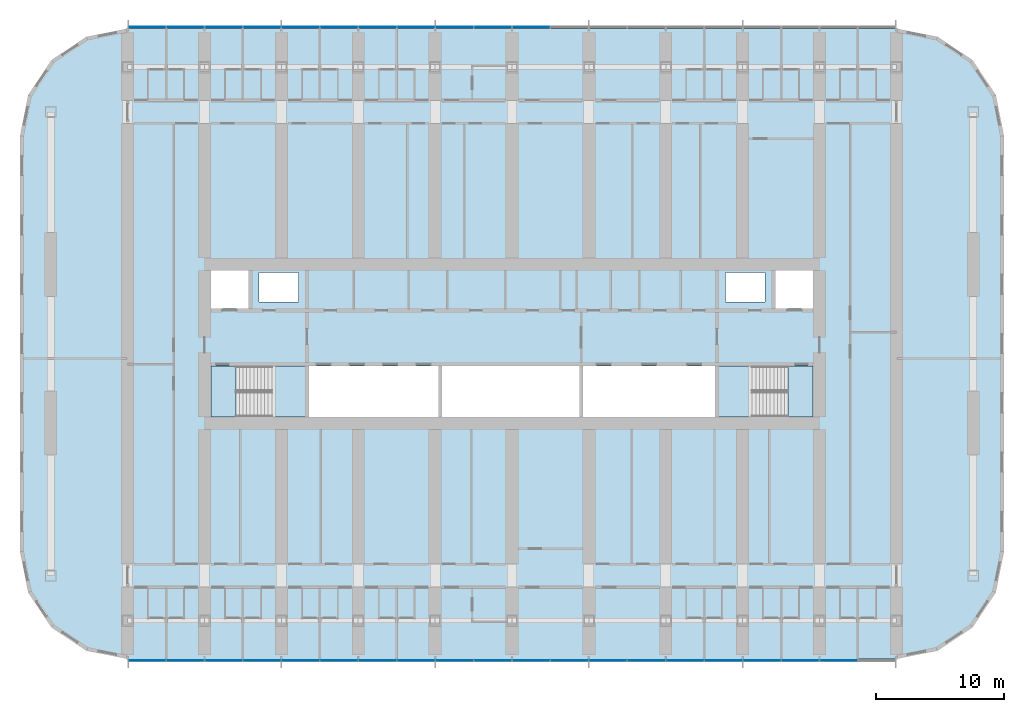
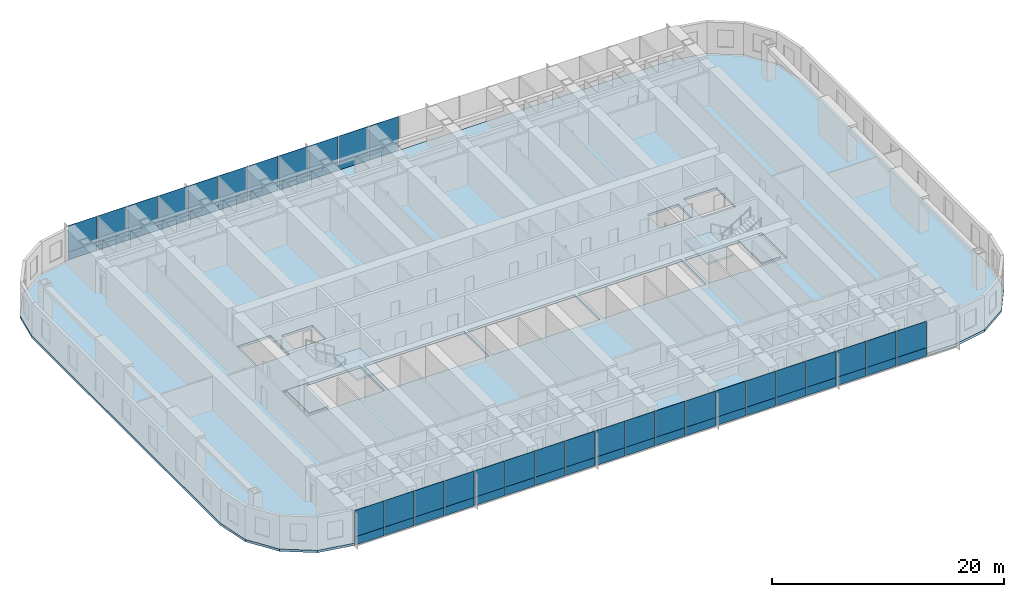
# One storey, part 8 of 25: 60 plates, 5 slabs, 4 elements without a shape of their own.
"""IFC4 building model written with IfcOpenShell, lengths in metres."""

from ifc_helpers import new_model, si_unit, direction, frame, origin, origin_2d, place, context, subcontext, project, spatial, polyline, rectangle, outline, extrude, material, layer, layer_set, type_object, element, aggregate, save


model = new_model("IFC4")

# Units and contexts
model_context = context("Model", 3, precision=1e-05, world=origin(), true_north=direction((0.0, 1.0)))
body_context = subcontext(model_context, "Body", "Model", "MODEL_VIEW")
ifc_project = project(units=[si_unit("LENGTHUNIT", "METRE"), si_unit("AREAUNIT", "SQUARE_METRE"), si_unit("VOLUMEUNIT", "CUBIC_METRE"), si_unit("PLANEANGLEUNIT", "RADIAN"), si_unit("MASSUNIT", "GRAM", prefix="KILO")], contexts=[model_context])

# Site, building, storey
site_placement = place(None, origin())
site = spatial("IfcSite", under=ifc_project, at=site_placement, CompositionType="ELEMENT")
building_placement = place(site_placement, origin())
building = spatial("IfcBuilding", under=site, at=building_placement, Name="Orbita Commons", CompositionType="ELEMENT")
storey_placement = place(building_placement, frame((0.0, 0.0, 31.449951171875)))
storey = spatial("IfcBuildingStorey", under=building, at=storey_placement, Name="L07", CompositionType="ELEMENT", Elevation=31.449951171875)

# Slab
ifc_material_1 = material(Name="Concrete C40/50", Category="concrete")
ifc_layer_1 = layer(ifc_material_1, 0.25)
ifc_layer_set_1 = layer_set([ifc_layer_1], Name="Concrete C40/50")
slab_type_1 = type_object("IfcSlabType", Name="Floor slab 250", PredefinedType="FLOOR", material=ifc_layer_set_1)
slab_1_placement = place(storey_placement, frame((0.0, 0.0, -0.25)))
element("IfcSlab", 1, at=slab_1_placement, inside=storey, type_object=slab_type_1, Name="Floor slab L07", PredefinedType="FLOOR", context=body_context, shape_type="SweptSolid", body=[
    extrude(outline(polyline([(72.0, 7.39990234375), (75.214599609375, 8.039306640625), (77.939697265625, 9.8603515625), (79.760498046875, 12.58544921875), (80.39990234375, 15.800048828125), (80.39990234375, 48.199951171875), (79.760498046875, 51.41455078125), (77.939697265625, 54.1396484375), (75.214599609375, 55.960693359375), (72.0, 56.60009765625), (12.0, 56.60009765625), (8.785400390625, 55.960693359375), (6.060302734375, 54.1396484375), (4.239501953125, 51.41455078125), (3.60009765625, 48.199951171875), (3.60009765625, 15.800048828125), (4.239501953125, 12.58544921875), (6.060302734375, 9.8603515625), (8.785400390625, 8.039306640625), (12.0, 7.39990234375), (72.0, 7.39990234375)]), holes=[polyline([(18.14990234375, 25.949951171875), (25.85009765625, 25.949951171875), (25.85009765625, 30.25), (18.14990234375, 30.25), (18.14990234375, 25.949951171875)]), polyline([(58.14990234375, 25.949951171875), (65.85009765625, 25.949951171875), (65.85009765625, 30.25), (58.14990234375, 30.25), (58.14990234375, 25.949951171875)]), polyline([(18.14990234375, 34.75), (21.449951171875, 34.75), (21.449951171875, 38.050048828125), (18.14990234375, 38.050048828125), (18.14990234375, 34.75)]), polyline([(62.550048828125, 34.75), (65.85009765625, 34.75), (65.85009765625, 38.050048828125), (62.550048828125, 38.050048828125), (62.550048828125, 34.75)]), polyline([(22.25, 35.25), (25.35009765625, 35.25), (25.35009765625, 37.550048828125), (22.25, 37.550048828125), (22.25, 35.25)]), polyline([(58.64990234375, 35.25), (61.75, 35.25), (61.75, 37.550048828125), (58.64990234375, 37.550048828125), (58.64990234375, 35.25)]), polyline([(26.14990234375, 25.949951171875), (36.25, 25.949951171875), (36.25, 30.25), (26.14990234375, 30.25), (26.14990234375, 25.949951171875)]), polyline([(36.550048828125, 25.949951171875), (47.25, 25.949951171875), (47.25, 30.25), (36.550048828125, 30.25), (36.550048828125, 25.949951171875)]), polyline([(47.550048828125, 25.949951171875), (57.85009765625, 25.949951171875), (57.85009765625, 30.25), (47.550048828125, 30.25), (47.550048828125, 25.949951171875)])]), origin(), (0.0, 0.0, 1.0), 0.25),
])

# Curtain wall, plates
ifc_material_2 = material(Name="Anodised aluminium frame, pale silver", Category="aluminium")
curtain_wall_type = type_object("IfcCurtainWallType", Name="Unitised curtain wall CW-T, vision and spandrel", PredefinedType="NOTDEFINED", material=ifc_material_2)
curtain_wall_1_placement = place(storey_placement, origin())
curtain_wall_1 = element("IfcCurtainWall", 2, at=curtain_wall_1_placement, inside=storey, type_object=curtain_wall_type, Name="Curtain wall south L07", PredefinedType="NOTDEFINED")
ifc_material_3 = material(Name="Anodised aluminium sheet on mineral wool", Category="aluminium")
ifc_layer_2 = layer(ifc_material_3, 0.050048828125)
ifc_layer_set_2 = layer_set([ifc_layer_2], Name="Anodised aluminium sheet on mineral wool")
plate_type_1 = type_object("IfcPlateType", Name="Spandrel panel, pale aluminium over insulation 50", PredefinedType="CURTAIN_PANEL", material=ifc_layer_set_2)
plate_1_placement = place(storey_placement, frame((13.52001953125, 7.2900390625, -0.14990234375), z_axis=(0.0, 0.0, 1.0), x_axis=(1.0, 0.0, 0.0)))
plate_1 = element("IfcPlate", 3, at=plate_1_placement, type_object=plate_type_1, Name="Panel 1.1 CW-L07-S", PredefinedType="CURTAIN_PANEL", context=body_context, shape_type="SweptSolid", body=[
    extrude(rectangle(XDim=2.8798828125, YDim=0.050048828125, at=origin_2d()), origin(), (0.0, 0.0, 1.0), 0.875),
])
plate_2_placement = place(storey_placement, frame((16.5, 7.2900390625, -0.14990234375), z_axis=(0.0, 0.0, 1.0), x_axis=(1.0, 0.0, 0.0)))
plate_2 = element("IfcPlate", 4, at=plate_2_placement, type_object=plate_type_1, Name="Panel 2.1 CW-L07-S", PredefinedType="CURTAIN_PANEL", context=body_context, shape_type="SweptSolid", body=[
    extrude(rectangle(XDim=2.919921875, YDim=0.050048828125, at=origin_2d()), origin(), (0.0, 0.0, 1.0), 0.875),
])
plate_3_placement = place(storey_placement, frame((19.5, 7.2900390625, -0.14990234375), z_axis=(0.0, 0.0, 1.0), x_axis=(1.0, 0.0, 0.0)))
plate_3 = element("IfcPlate", 5, at=plate_3_placement, type_object=plate_type_1, Name="Panel 3.1 CW-L07-S", PredefinedType="CURTAIN_PANEL", context=body_context, shape_type="SweptSolid", body=[
    extrude(rectangle(XDim=2.919921875, YDim=0.050048828125, at=origin_2d()), origin(), (0.0, 0.0, 1.0), 0.875),
])
plate_4_placement = place(storey_placement, frame((22.5, 7.2900390625, -0.14990234375), z_axis=(0.0, 0.0, 1.0), x_axis=(1.0, 0.0, 0.0)))
plate_4 = element("IfcPlate", 6, at=plate_4_placement, type_object=plate_type_1, Name="Panel 4.1 CW-L07-S", PredefinedType="CURTAIN_PANEL", context=body_context, shape_type="SweptSolid", body=[
    extrude(rectangle(XDim=2.919921875, YDim=0.050048828125, at=origin_2d()), origin(), (0.0, 0.0, 1.0), 0.875),
])
plate_5_placement = place(storey_placement, frame((25.5, 7.2900390625, -0.14990234375), z_axis=(0.0, 0.0, 1.0), x_axis=(1.0, 0.0, 0.0)))
plate_5 = element("IfcPlate", 7, at=plate_5_placement, type_object=plate_type_1, Name="Panel 5.1 CW-L07-S", PredefinedType="CURTAIN_PANEL", context=body_context, shape_type="SweptSolid", body=[
    extrude(rectangle(XDim=2.919921875, YDim=0.050048828125, at=origin_2d()), origin(), (0.0, 0.0, 1.0), 0.875),
])
plate_6_placement = place(storey_placement, frame((28.5, 7.2900390625, -0.14990234375), z_axis=(0.0, 0.0, 1.0), x_axis=(1.0, 0.0, 0.0)))
plate_6 = element("IfcPlate", 8, at=plate_6_placement, type_object=plate_type_1, Name="Panel 6.1 CW-L07-S", PredefinedType="CURTAIN_PANEL", context=body_context, shape_type="SweptSolid", body=[
    extrude(rectangle(XDim=2.919921875, YDim=0.050048828125, at=origin_2d()), origin(), (0.0, 0.0, 1.0), 0.875),
])
plate_7_placement = place(storey_placement, frame((31.5, 7.2900390625, -0.14990234375), z_axis=(0.0, 0.0, 1.0), x_axis=(1.0, 0.0, 0.0)))
plate_7 = element("IfcPlate", 9, at=plate_7_placement, type_object=plate_type_1, Name="Panel 7.1 CW-L07-S", PredefinedType="CURTAIN_PANEL", context=body_context, shape_type="SweptSolid", body=[
    extrude(rectangle(XDim=2.919921875, YDim=0.050048828125, at=origin_2d()), origin(), (0.0, 0.0, 1.0), 0.875),
])
plate_8_placement = place(storey_placement, frame((34.5, 7.2900390625, -0.14990234375), z_axis=(0.0, 0.0, 1.0), x_axis=(1.0, 0.0, 0.0)))
plate_8 = element("IfcPlate", 10, at=plate_8_placement, type_object=plate_type_1, Name="Panel 8.1 CW-L07-S", PredefinedType="CURTAIN_PANEL", context=body_context, shape_type="SweptSolid", body=[
    extrude(rectangle(XDim=2.919921875, YDim=0.050048828125, at=origin_2d()), origin(), (0.0, 0.0, 1.0), 0.875),
])
plate_9_placement = place(storey_placement, frame((37.5, 7.2900390625, -0.14990234375), z_axis=(0.0, 0.0, 1.0), x_axis=(1.0, 0.0, 0.0)))
plate_9 = element("IfcPlate", 11, at=plate_9_placement, type_object=plate_type_1, Name="Panel 9.1 CW-L07-S", PredefinedType="CURTAIN_PANEL", context=body_context, shape_type="SweptSolid", body=[
    extrude(rectangle(XDim=2.919921875, YDim=0.050048828125, at=origin_2d()), origin(), (0.0, 0.0, 1.0), 0.875),
])
plate_10_placement = place(storey_placement, frame((40.5, 7.2900390625, -0.14990234375), z_axis=(0.0, 0.0, 1.0), x_axis=(1.0, 0.0, 0.0)))
plate_10 = element("IfcPlate", 12, at=plate_10_placement, type_object=plate_type_1, Name="Panel 10.1 CW-L07-S", PredefinedType="CURTAIN_PANEL", context=body_context, shape_type="SweptSolid", body=[
    extrude(rectangle(XDim=2.919921875, YDim=0.050048828125, at=origin_2d()), origin(), (0.0, 0.0, 1.0), 0.875),
])
plate_11_placement = place(storey_placement, frame((43.5, 7.2900390625, -0.14990234375), z_axis=(0.0, 0.0, 1.0), x_axis=(1.0, 0.0, 0.0)))
plate_11 = element("IfcPlate", 13, at=plate_11_placement, type_object=plate_type_1, Name="Panel 11.1 CW-L07-S", PredefinedType="CURTAIN_PANEL", context=body_context, shape_type="SweptSolid", body=[
    extrude(rectangle(XDim=2.919921875, YDim=0.050048828125, at=origin_2d()), origin(), (0.0, 0.0, 1.0), 0.875),
])
plate_12_placement = place(storey_placement, frame((46.5, 7.2900390625, -0.14990234375), z_axis=(0.0, 0.0, 1.0), x_axis=(1.0, 0.0, 0.0)))
plate_12 = element("IfcPlate", 14, at=plate_12_placement, type_object=plate_type_1, Name="Panel 12.1 CW-L07-S", PredefinedType="CURTAIN_PANEL", context=body_context, shape_type="SweptSolid", body=[
    extrude(rectangle(XDim=2.919921875, YDim=0.050048828125, at=origin_2d()), origin(), (0.0, 0.0, 1.0), 0.875),
])
plate_13_placement = place(storey_placement, frame((49.5, 7.2900390625, -0.14990234375), z_axis=(0.0, 0.0, 1.0), x_axis=(1.0, 0.0, 0.0)))
plate_13 = element("IfcPlate", 15, at=plate_13_placement, type_object=plate_type_1, Name="Panel 13.1 CW-L07-S", PredefinedType="CURTAIN_PANEL", context=body_context, shape_type="SweptSolid", body=[
    extrude(rectangle(XDim=2.919921875, YDim=0.050048828125, at=origin_2d()), origin(), (0.0, 0.0, 1.0), 0.875),
])
plate_14_placement = place(storey_placement, frame((52.5, 7.2900390625, -0.14990234375), z_axis=(0.0, 0.0, 1.0), x_axis=(1.0, 0.0, 0.0)))
plate_14 = element("IfcPlate", 16, at=plate_14_placement, type_object=plate_type_1, Name="Panel 14.1 CW-L07-S", PredefinedType="CURTAIN_PANEL", context=body_context, shape_type="SweptSolid", body=[
    extrude(rectangle(XDim=2.919921875, YDim=0.050048828125, at=origin_2d()), origin(), (0.0, 0.0, 1.0), 0.875),
])
plate_15_placement = place(storey_placement, frame((55.5, 7.2900390625, -0.14990234375), z_axis=(0.0, 0.0, 1.0), x_axis=(1.0, 0.0, 0.0)))
plate_15 = element("IfcPlate", 17, at=plate_15_placement, type_object=plate_type_1, Name="Panel 15.1 CW-L07-S", PredefinedType="CURTAIN_PANEL", context=body_context, shape_type="SweptSolid", body=[
    extrude(rectangle(XDim=2.919921875, YDim=0.050048828125, at=origin_2d()), origin(), (0.0, 0.0, 1.0), 0.875),
])
plate_16_placement = place(storey_placement, frame((58.5, 7.2900390625, -0.14990234375), z_axis=(0.0, 0.0, 1.0), x_axis=(1.0, 0.0, 0.0)))
plate_16 = element("IfcPlate", 18, at=plate_16_placement, type_object=plate_type_1, Name="Panel 16.1 CW-L07-S", PredefinedType="CURTAIN_PANEL", context=body_context, shape_type="SweptSolid", body=[
    extrude(rectangle(XDim=2.919921875, YDim=0.050048828125, at=origin_2d()), origin(), (0.0, 0.0, 1.0), 0.875),
])
plate_17_placement = place(storey_placement, frame((61.5, 7.2900390625, -0.14990234375), z_axis=(0.0, 0.0, 1.0), x_axis=(1.0, 0.0, 0.0)))
plate_17 = element("IfcPlate", 19, at=plate_17_placement, type_object=plate_type_1, Name="Panel 17.1 CW-L07-S", PredefinedType="CURTAIN_PANEL", context=body_context, shape_type="SweptSolid", body=[
    extrude(rectangle(XDim=2.919921875, YDim=0.050048828125, at=origin_2d()), origin(), (0.0, 0.0, 1.0), 0.875),
])
plate_18_placement = place(storey_placement, frame((64.5, 7.2900390625, -0.14990234375), z_axis=(0.0, 0.0, 1.0), x_axis=(1.0, 0.0, 0.0)))
plate_18 = element("IfcPlate", 20, at=plate_18_placement, type_object=plate_type_1, Name="Panel 18.1 CW-L07-S", PredefinedType="CURTAIN_PANEL", context=body_context, shape_type="SweptSolid", body=[
    extrude(rectangle(XDim=2.919921875, YDim=0.050048828125, at=origin_2d()), origin(), (0.0, 0.0, 1.0), 0.875),
])
plate_19_placement = place(storey_placement, frame((67.5, 7.2900390625, -0.14990234375), z_axis=(0.0, 0.0, 1.0), x_axis=(1.0, 0.0, 0.0)))
plate_19 = element("IfcPlate", 21, at=plate_19_placement, type_object=plate_type_1, Name="Panel 19.1 CW-L07-S", PredefinedType="CURTAIN_PANEL", context=body_context, shape_type="SweptSolid", body=[
    extrude(rectangle(XDim=2.919921875, YDim=0.050048828125, at=origin_2d()), origin(), (0.0, 0.0, 1.0), 0.875),
])

curtain_wall_2_placement = place(storey_placement, origin())
curtain_wall_2 = element("IfcCurtainWall", 22, at=curtain_wall_2_placement, inside=storey, type_object=curtain_wall_type, Name="Curtain wall north L07", PredefinedType="NOTDEFINED")
plate_20_placement = place(storey_placement, frame((43.5, 56.7099609375, -0.14990234375), z_axis=(0.0, 0.0, 1.0), x_axis=(-1.0, 0.0, 0.0)))
plate_20 = element("IfcPlate", 23, at=plate_20_placement, type_object=plate_type_1, Name="Panel 10.1 CW-L07-N", PredefinedType="CURTAIN_PANEL", context=body_context, shape_type="SweptSolid", body=[
    extrude(rectangle(XDim=2.919921875, YDim=0.050048828125, at=origin_2d()), origin(), (0.0, 0.0, 1.0), 0.875),
])
plate_21_placement = place(storey_placement, frame((40.5, 56.7099609375, -0.14990234375), z_axis=(0.0, 0.0, 1.0), x_axis=(-1.0, 0.0, 0.0)))
plate_21 = element("IfcPlate", 24, at=plate_21_placement, type_object=plate_type_1, Name="Panel 11.1 CW-L07-N", PredefinedType="CURTAIN_PANEL", context=body_context, shape_type="SweptSolid", body=[
    extrude(rectangle(XDim=2.919921875, YDim=0.050048828125, at=origin_2d()), origin(), (0.0, 0.0, 1.0), 0.875),
])
plate_22_placement = place(storey_placement, frame((37.5, 56.7099609375, -0.14990234375), z_axis=(0.0, 0.0, 1.0), x_axis=(-1.0, 0.0, 0.0)))
plate_22 = element("IfcPlate", 25, at=plate_22_placement, type_object=plate_type_1, Name="Panel 12.1 CW-L07-N", PredefinedType="CURTAIN_PANEL", context=body_context, shape_type="SweptSolid", body=[
    extrude(rectangle(XDim=2.919921875, YDim=0.050048828125, at=origin_2d()), origin(), (0.0, 0.0, 1.0), 0.875),
])
plate_23_placement = place(storey_placement, frame((34.5, 56.7099609375, -0.14990234375), z_axis=(0.0, 0.0, 1.0), x_axis=(-1.0, 0.0, 0.0)))
plate_23 = element("IfcPlate", 26, at=plate_23_placement, type_object=plate_type_1, Name="Panel 13.1 CW-L07-N", PredefinedType="CURTAIN_PANEL", context=body_context, shape_type="SweptSolid", body=[
    extrude(rectangle(XDim=2.919921875, YDim=0.050048828125, at=origin_2d()), origin(), (0.0, 0.0, 1.0), 0.875),
])
plate_24_placement = place(storey_placement, frame((31.5, 56.7099609375, -0.14990234375), z_axis=(0.0, 0.0, 1.0), x_axis=(-1.0, 0.0, 0.0)))
plate_24 = element("IfcPlate", 27, at=plate_24_placement, type_object=plate_type_1, Name="Panel 14.1 CW-L07-N", PredefinedType="CURTAIN_PANEL", context=body_context, shape_type="SweptSolid", body=[
    extrude(rectangle(XDim=2.919921875, YDim=0.050048828125, at=origin_2d()), origin(), (0.0, 0.0, 1.0), 0.875),
])
plate_25_placement = place(storey_placement, frame((28.5, 56.7099609375, -0.14990234375), z_axis=(0.0, 0.0, 1.0), x_axis=(-1.0, 0.0, 0.0)))
plate_25 = element("IfcPlate", 28, at=plate_25_placement, type_object=plate_type_1, Name="Panel 15.1 CW-L07-N", PredefinedType="CURTAIN_PANEL", context=body_context, shape_type="SweptSolid", body=[
    extrude(rectangle(XDim=2.919921875, YDim=0.050048828125, at=origin_2d()), origin(), (0.0, 0.0, 1.0), 0.875),
])
plate_26_placement = place(storey_placement, frame((25.5, 56.7099609375, -0.14990234375), z_axis=(0.0, 0.0, 1.0), x_axis=(-1.0, 0.0, 0.0)))
plate_26 = element("IfcPlate", 29, at=plate_26_placement, type_object=plate_type_1, Name="Panel 16.1 CW-L07-N", PredefinedType="CURTAIN_PANEL", context=body_context, shape_type="SweptSolid", body=[
    extrude(rectangle(XDim=2.919921875, YDim=0.050048828125, at=origin_2d()), origin(), (0.0, 0.0, 1.0), 0.875),
])
plate_27_placement = place(storey_placement, frame((22.5, 56.7099609375, -0.14990234375), z_axis=(0.0, 0.0, 1.0), x_axis=(-1.0, 0.0, 0.0)))
plate_27 = element("IfcPlate", 30, at=plate_27_placement, type_object=plate_type_1, Name="Panel 17.1 CW-L07-N", PredefinedType="CURTAIN_PANEL", context=body_context, shape_type="SweptSolid", body=[
    extrude(rectangle(XDim=2.919921875, YDim=0.050048828125, at=origin_2d()), origin(), (0.0, 0.0, 1.0), 0.875),
])
plate_28_placement = place(storey_placement, frame((19.5, 56.7099609375, -0.14990234375), z_axis=(0.0, 0.0, 1.0), x_axis=(-1.0, 0.0, 0.0)))
plate_28 = element("IfcPlate", 31, at=plate_28_placement, type_object=plate_type_1, Name="Panel 18.1 CW-L07-N", PredefinedType="CURTAIN_PANEL", context=body_context, shape_type="SweptSolid", body=[
    extrude(rectangle(XDim=2.919921875, YDim=0.050048828125, at=origin_2d()), origin(), (0.0, 0.0, 1.0), 0.875),
])
plate_29_placement = place(storey_placement, frame((16.5, 56.7099609375, -0.14990234375), z_axis=(0.0, 0.0, 1.0), x_axis=(-1.0, 0.0, 0.0)))
plate_29 = element("IfcPlate", 32, at=plate_29_placement, type_object=plate_type_1, Name="Panel 19.1 CW-L07-N", PredefinedType="CURTAIN_PANEL", context=body_context, shape_type="SweptSolid", body=[
    extrude(rectangle(XDim=2.919921875, YDim=0.050048828125, at=origin_2d()), origin(), (0.0, 0.0, 1.0), 0.875),
])
plate_30_placement = place(storey_placement, frame((13.52001953125, 56.7099609375, -0.14990234375), z_axis=(0.0, 0.0, 1.0), x_axis=(-1.0, 0.0, 0.0)))
plate_30 = element("IfcPlate", 33, at=plate_30_placement, type_object=plate_type_1, Name="Panel 20.1 CW-L07-N", PredefinedType="CURTAIN_PANEL", context=body_context, shape_type="SweptSolid", body=[
    extrude(rectangle(XDim=2.8798828125, YDim=0.050048828125, at=origin_2d()), origin(), (0.0, 0.0, 1.0), 0.875),
])

# Stair, slabs
ifc_material_4 = material(Name="Precast concrete C40/50", Category="concrete")
stair_type_1 = type_object("IfcStairType", Name="Exit stair S1 2 flights 11 risers 170", PredefinedType="HALF_TURN_STAIR", material=ifc_material_4)
stair_1_placement = place(storey_placement, origin())
stair_1 = element("IfcStair", 34, at=stair_1_placement, inside=storey, type_object=stair_type_1, Name="Exit stair S1 L07", PredefinedType="HALF_TURN_STAIR")
ifc_material_5 = material(Name="Concrete C40/50", Category="concrete")
ifc_layer_3 = layer(ifc_material_5, 0.199951171875)
ifc_layer_set_3 = layer_set([ifc_layer_3], Name="Concrete C40/50")
slab_type_2 = type_object("IfcSlabType", Name="Stair landing 200", PredefinedType="LANDING", material=ifc_layer_set_3)
slab_2_placement = place(storey_placement, frame((0.0, 0.0, -0.199951171875)))
slab_2 = element("IfcSlab", 35, at=slab_2_placement, type_object=slab_type_2, Name="S1 landing 1", PredefinedType="LANDING", context=body_context, shape_type="SweptSolid", body=[
    extrude(outline(polyline([(18.5, 26.300048828125), (20.449951171875, 26.300048828125), (20.449951171875, 30.25), (18.5, 30.25), (18.5, 26.300048828125)])), origin(), (0.0, 0.0, 1.0), 0.199951171875),
])
slab_3_placement = place(storey_placement, frame((0.0, 0.0, 1.675048828125)))
slab_3 = element("IfcSlab", 36, at=slab_3_placement, type_object=slab_type_2, Name="S1 landing 2", PredefinedType="LANDING", context=body_context, shape_type="SweptSolid", body=[
    extrude(outline(polyline([(23.25, 26.284912109375), (25.864990234375, 26.284912109375), (25.864990234375, 30.264892578125), (23.25, 30.264892578125), (23.25, 26.284912109375)])), origin(), (0.0, 0.0, 1.0), 0.199951171875),
])
aggregate(stair_1, [slab_2, slab_3])

ifc_material_6 = material(Name="Precast concrete C40/50", Category="concrete")
stair_type_2 = type_object("IfcStairType", Name="Exit stair S2 2 flights 11 risers 170", PredefinedType="HALF_TURN_STAIR", material=ifc_material_6)
stair_2_placement = place(storey_placement, origin())
stair_2 = element("IfcStair", 37, at=stair_2_placement, inside=storey, type_object=stair_type_2, Name="Exit stair S2 L07", PredefinedType="HALF_TURN_STAIR")
slab_4_placement = place(storey_placement, frame((0.0, 0.0, -0.199951171875)))
slab_4 = element("IfcSlab", 38, at=slab_4_placement, type_object=slab_type_2, Name="S2 landing 1", PredefinedType="LANDING", context=body_context, shape_type="SweptSolid", body=[
    extrude(outline(polyline([(63.550048828125, 26.300048828125), (65.5, 26.300048828125), (65.5, 30.25), (63.550048828125, 30.25), (63.550048828125, 26.300048828125)])), origin(), (0.0, 0.0, 1.0), 0.199951171875),
])
slab_5_placement = place(storey_placement, frame((0.0, 0.0, 1.675048828125)))
slab_5 = element("IfcSlab", 39, at=slab_5_placement, type_object=slab_type_2, Name="S2 landing 2", PredefinedType="LANDING", context=body_context, shape_type="SweptSolid", body=[
    extrude(outline(polyline([(58.135009765625, 26.284912109375), (60.75, 26.284912109375), (60.75, 30.264892578125), (58.135009765625, 30.264892578125), (58.135009765625, 26.284912109375)])), origin(), (0.0, 0.0, 1.0), 0.199951171875),
])
aggregate(stair_2, [slab_4, slab_5])

# Plate
ifc_material_7 = material(Name="Clear double glazing", Category="glass")
ifc_layer_4 = layer(ifc_material_7, 0.031982421875)
ifc_layer_set_4 = layer_set([ifc_layer_4], Name="Clear double glazing")
plate_type_2 = type_object("IfcPlateType", Name="Vision panel, clear double glazing 32", PredefinedType="CURTAIN_PANEL", material=ifc_layer_set_4)
plate_31_placement = place(storey_placement, frame((13.52001953125, 7.2900390625, 0.72509765625), z_axis=(0.0, 0.0, 1.0), x_axis=(1.0, 0.0, 0.0)))
plate_31 = element("IfcPlate", 40, at=plate_31_placement, type_object=plate_type_2, Name="Panel 1.2 CW-L07-S", PredefinedType="CURTAIN_PANEL", context=body_context, shape_type="SweptSolid", body=[
    extrude(rectangle(XDim=2.8798828125, YDim=0.031982421875, at=origin_2d()), origin(), (0.0, 0.0, 1.0), 2.77490234375),
])

plate_32_placement = place(storey_placement, frame((16.5, 7.2900390625, 0.72509765625), z_axis=(0.0, 0.0, 1.0), x_axis=(1.0, 0.0, 0.0)))
plate_32 = element("IfcPlate", 41, at=plate_32_placement, type_object=plate_type_2, Name="Panel 2.2 CW-L07-S", PredefinedType="CURTAIN_PANEL", context=body_context, shape_type="SweptSolid", body=[
    extrude(rectangle(XDim=2.919921875, YDim=0.031982421875, at=origin_2d()), origin(), (0.0, 0.0, 1.0), 2.77490234375),
])

plate_33_placement = place(storey_placement, frame((19.5, 7.2900390625, 0.72509765625), z_axis=(0.0, 0.0, 1.0), x_axis=(1.0, 0.0, 0.0)))
plate_33 = element("IfcPlate", 42, at=plate_33_placement, type_object=plate_type_2, Name="Panel 3.2 CW-L07-S", PredefinedType="CURTAIN_PANEL", context=body_context, shape_type="SweptSolid", body=[
    extrude(rectangle(XDim=2.919921875, YDim=0.031982421875, at=origin_2d()), origin(), (0.0, 0.0, 1.0), 2.77490234375),
])

plate_34_placement = place(storey_placement, frame((22.5, 7.2900390625, 0.72509765625), z_axis=(0.0, 0.0, 1.0), x_axis=(1.0, 0.0, 0.0)))
plate_34 = element("IfcPlate", 43, at=plate_34_placement, type_object=plate_type_2, Name="Panel 4.2 CW-L07-S", PredefinedType="CURTAIN_PANEL", context=body_context, shape_type="SweptSolid", body=[
    extrude(rectangle(XDim=2.919921875, YDim=0.031982421875, at=origin_2d()), origin(), (0.0, 0.0, 1.0), 2.77490234375),
])

plate_35_placement = place(storey_placement, frame((25.5, 7.2900390625, 0.72509765625), z_axis=(0.0, 0.0, 1.0), x_axis=(1.0, 0.0, 0.0)))
plate_35 = element("IfcPlate", 44, at=plate_35_placement, type_object=plate_type_2, Name="Panel 5.2 CW-L07-S", PredefinedType="CURTAIN_PANEL", context=body_context, shape_type="SweptSolid", body=[
    extrude(rectangle(XDim=2.919921875, YDim=0.031982421875, at=origin_2d()), origin(), (0.0, 0.0, 1.0), 2.77490234375),
])

plate_36_placement = place(storey_placement, frame((28.5, 7.2900390625, 0.72509765625), z_axis=(0.0, 0.0, 1.0), x_axis=(1.0, 0.0, 0.0)))
plate_36 = element("IfcPlate", 45, at=plate_36_placement, type_object=plate_type_2, Name="Panel 6.2 CW-L07-S", PredefinedType="CURTAIN_PANEL", context=body_context, shape_type="SweptSolid", body=[
    extrude(rectangle(XDim=2.919921875, YDim=0.031982421875, at=origin_2d()), origin(), (0.0, 0.0, 1.0), 2.77490234375),
])

plate_37_placement = place(storey_placement, frame((31.5, 7.2900390625, 0.72509765625), z_axis=(0.0, 0.0, 1.0), x_axis=(1.0, 0.0, 0.0)))
plate_37 = element("IfcPlate", 46, at=plate_37_placement, type_object=plate_type_2, Name="Panel 7.2 CW-L07-S", PredefinedType="CURTAIN_PANEL", context=body_context, shape_type="SweptSolid", body=[
    extrude(rectangle(XDim=2.919921875, YDim=0.031982421875, at=origin_2d()), origin(), (0.0, 0.0, 1.0), 2.77490234375),
])

plate_38_placement = place(storey_placement, frame((34.5, 7.2900390625, 0.72509765625), z_axis=(0.0, 0.0, 1.0), x_axis=(1.0, 0.0, 0.0)))
plate_38 = element("IfcPlate", 47, at=plate_38_placement, type_object=plate_type_2, Name="Panel 8.2 CW-L07-S", PredefinedType="CURTAIN_PANEL", context=body_context, shape_type="SweptSolid", body=[
    extrude(rectangle(XDim=2.919921875, YDim=0.031982421875, at=origin_2d()), origin(), (0.0, 0.0, 1.0), 2.77490234375),
])

plate_39_placement = place(storey_placement, frame((37.5, 7.2900390625, 0.72509765625), z_axis=(0.0, 0.0, 1.0), x_axis=(1.0, 0.0, 0.0)))
plate_39 = element("IfcPlate", 48, at=plate_39_placement, type_object=plate_type_2, Name="Panel 9.2 CW-L07-S", PredefinedType="CURTAIN_PANEL", context=body_context, shape_type="SweptSolid", body=[
    extrude(rectangle(XDim=2.919921875, YDim=0.031982421875, at=origin_2d()), origin(), (0.0, 0.0, 1.0), 2.77490234375),
])

plate_40_placement = place(storey_placement, frame((40.5, 7.2900390625, 0.72509765625), z_axis=(0.0, 0.0, 1.0), x_axis=(1.0, 0.0, 0.0)))
plate_40 = element("IfcPlate", 49, at=plate_40_placement, type_object=plate_type_2, Name="Panel 10.2 CW-L07-S", PredefinedType="CURTAIN_PANEL", context=body_context, shape_type="SweptSolid", body=[
    extrude(rectangle(XDim=2.919921875, YDim=0.031982421875, at=origin_2d()), origin(), (0.0, 0.0, 1.0), 2.77490234375),
])

plate_41_placement = place(storey_placement, frame((43.5, 7.2900390625, 0.72509765625), z_axis=(0.0, 0.0, 1.0), x_axis=(1.0, 0.0, 0.0)))
plate_41 = element("IfcPlate", 50, at=plate_41_placement, type_object=plate_type_2, Name="Panel 11.2 CW-L07-S", PredefinedType="CURTAIN_PANEL", context=body_context, shape_type="SweptSolid", body=[
    extrude(rectangle(XDim=2.919921875, YDim=0.031982421875, at=origin_2d()), origin(), (0.0, 0.0, 1.0), 2.77490234375),
])

plate_42_placement = place(storey_placement, frame((46.5, 7.2900390625, 0.72509765625), z_axis=(0.0, 0.0, 1.0), x_axis=(1.0, 0.0, 0.0)))
plate_42 = element("IfcPlate", 51, at=plate_42_placement, type_object=plate_type_2, Name="Panel 12.2 CW-L07-S", PredefinedType="CURTAIN_PANEL", context=body_context, shape_type="SweptSolid", body=[
    extrude(rectangle(XDim=2.919921875, YDim=0.031982421875, at=origin_2d()), origin(), (0.0, 0.0, 1.0), 2.77490234375),
])

plate_43_placement = place(storey_placement, frame((49.5, 7.2900390625, 0.72509765625), z_axis=(0.0, 0.0, 1.0), x_axis=(1.0, 0.0, 0.0)))
plate_43 = element("IfcPlate", 52, at=plate_43_placement, type_object=plate_type_2, Name="Panel 13.2 CW-L07-S", PredefinedType="CURTAIN_PANEL", context=body_context, shape_type="SweptSolid", body=[
    extrude(rectangle(XDim=2.919921875, YDim=0.031982421875, at=origin_2d()), origin(), (0.0, 0.0, 1.0), 2.77490234375),
])

plate_44_placement = place(storey_placement, frame((52.5, 7.2900390625, 0.72509765625), z_axis=(0.0, 0.0, 1.0), x_axis=(1.0, 0.0, 0.0)))
plate_44 = element("IfcPlate", 53, at=plate_44_placement, type_object=plate_type_2, Name="Panel 14.2 CW-L07-S", PredefinedType="CURTAIN_PANEL", context=body_context, shape_type="SweptSolid", body=[
    extrude(rectangle(XDim=2.919921875, YDim=0.031982421875, at=origin_2d()), origin(), (0.0, 0.0, 1.0), 2.77490234375),
])

plate_45_placement = place(storey_placement, frame((55.5, 7.2900390625, 0.72509765625), z_axis=(0.0, 0.0, 1.0), x_axis=(1.0, 0.0, 0.0)))
plate_45 = element("IfcPlate", 54, at=plate_45_placement, type_object=plate_type_2, Name="Panel 15.2 CW-L07-S", PredefinedType="CURTAIN_PANEL", context=body_context, shape_type="SweptSolid", body=[
    extrude(rectangle(XDim=2.919921875, YDim=0.031982421875, at=origin_2d()), origin(), (0.0, 0.0, 1.0), 2.77490234375),
])

plate_46_placement = place(storey_placement, frame((58.5, 7.2900390625, 0.72509765625), z_axis=(0.0, 0.0, 1.0), x_axis=(1.0, 0.0, 0.0)))
plate_46 = element("IfcPlate", 55, at=plate_46_placement, type_object=plate_type_2, Name="Panel 16.2 CW-L07-S", PredefinedType="CURTAIN_PANEL", context=body_context, shape_type="SweptSolid", body=[
    extrude(rectangle(XDim=2.919921875, YDim=0.031982421875, at=origin_2d()), origin(), (0.0, 0.0, 1.0), 2.77490234375),
])

plate_47_placement = place(storey_placement, frame((61.5, 7.2900390625, 0.72509765625), z_axis=(0.0, 0.0, 1.0), x_axis=(1.0, 0.0, 0.0)))
plate_47 = element("IfcPlate", 56, at=plate_47_placement, type_object=plate_type_2, Name="Panel 17.2 CW-L07-S", PredefinedType="CURTAIN_PANEL", context=body_context, shape_type="SweptSolid", body=[
    extrude(rectangle(XDim=2.919921875, YDim=0.031982421875, at=origin_2d()), origin(), (0.0, 0.0, 1.0), 2.77490234375),
])

plate_48_placement = place(storey_placement, frame((64.5, 7.2900390625, 0.72509765625), z_axis=(0.0, 0.0, 1.0), x_axis=(1.0, 0.0, 0.0)))
plate_48 = element("IfcPlate", 57, at=plate_48_placement, type_object=plate_type_2, Name="Panel 18.2 CW-L07-S", PredefinedType="CURTAIN_PANEL", context=body_context, shape_type="SweptSolid", body=[
    extrude(rectangle(XDim=2.919921875, YDim=0.031982421875, at=origin_2d()), origin(), (0.0, 0.0, 1.0), 2.77490234375),
])

plate_49_placement = place(storey_placement, frame((67.5, 7.2900390625, 0.72509765625), z_axis=(0.0, 0.0, 1.0), x_axis=(1.0, 0.0, 0.0)))
plate_49 = element("IfcPlate", 58, at=plate_49_placement, type_object=plate_type_2, Name="Panel 19.2 CW-L07-S", PredefinedType="CURTAIN_PANEL", context=body_context, shape_type="SweptSolid", body=[
    extrude(rectangle(XDim=2.919921875, YDim=0.031982421875, at=origin_2d()), origin(), (0.0, 0.0, 1.0), 2.77490234375),
])

aggregate(curtain_wall_1, [plate_1, plate_31, plate_2, plate_32, plate_3, plate_33, plate_4, plate_34, plate_5, plate_35, plate_6, plate_36, plate_7, plate_37, plate_8, plate_38, plate_9, plate_39, plate_10, plate_40, plate_11, plate_41, plate_12, plate_42, plate_13, plate_43, plate_14, plate_44, plate_15, plate_45, plate_16, plate_46, plate_17, plate_47, plate_18, plate_48, plate_19, plate_49])

plate_50_placement = place(storey_placement, frame((43.5, 56.7099609375, 0.72509765625), z_axis=(0.0, 0.0, 1.0), x_axis=(-1.0, 0.0, 0.0)))
plate_50 = element("IfcPlate", 59, at=plate_50_placement, type_object=plate_type_2, Name="Panel 10.2 CW-L07-N", PredefinedType="CURTAIN_PANEL", context=body_context, shape_type="SweptSolid", body=[
    extrude(rectangle(XDim=2.919921875, YDim=0.031982421875, at=origin_2d()), origin(), (0.0, 0.0, 1.0), 2.77490234375),
])

plate_51_placement = place(storey_placement, frame((40.5, 56.7099609375, 0.72509765625), z_axis=(0.0, 0.0, 1.0), x_axis=(-1.0, 0.0, 0.0)))
plate_51 = element("IfcPlate", 60, at=plate_51_placement, type_object=plate_type_2, Name="Panel 11.2 CW-L07-N", PredefinedType="CURTAIN_PANEL", context=body_context, shape_type="SweptSolid", body=[
    extrude(rectangle(XDim=2.919921875, YDim=0.031982421875, at=origin_2d()), origin(), (0.0, 0.0, 1.0), 2.77490234375),
])

plate_52_placement = place(storey_placement, frame((37.5, 56.7099609375, 0.72509765625), z_axis=(0.0, 0.0, 1.0), x_axis=(-1.0, 0.0, 0.0)))
plate_52 = element("IfcPlate", 61, at=plate_52_placement, type_object=plate_type_2, Name="Panel 12.2 CW-L07-N", PredefinedType="CURTAIN_PANEL", context=body_context, shape_type="SweptSolid", body=[
    extrude(rectangle(XDim=2.919921875, YDim=0.031982421875, at=origin_2d()), origin(), (0.0, 0.0, 1.0), 2.77490234375),
])

plate_53_placement = place(storey_placement, frame((34.5, 56.7099609375, 0.72509765625), z_axis=(0.0, 0.0, 1.0), x_axis=(-1.0, 0.0, 0.0)))
plate_53 = element("IfcPlate", 62, at=plate_53_placement, type_object=plate_type_2, Name="Panel 13.2 CW-L07-N", PredefinedType="CURTAIN_PANEL", context=body_context, shape_type="SweptSolid", body=[
    extrude(rectangle(XDim=2.919921875, YDim=0.031982421875, at=origin_2d()), origin(), (0.0, 0.0, 1.0), 2.77490234375),
])

plate_54_placement = place(storey_placement, frame((31.5, 56.7099609375, 0.72509765625), z_axis=(0.0, 0.0, 1.0), x_axis=(-1.0, 0.0, 0.0)))
plate_54 = element("IfcPlate", 63, at=plate_54_placement, type_object=plate_type_2, Name="Panel 14.2 CW-L07-N", PredefinedType="CURTAIN_PANEL", context=body_context, shape_type="SweptSolid", body=[
    extrude(rectangle(XDim=2.919921875, YDim=0.031982421875, at=origin_2d()), origin(), (0.0, 0.0, 1.0), 2.77490234375),
])

plate_55_placement = place(storey_placement, frame((28.5, 56.7099609375, 0.72509765625), z_axis=(0.0, 0.0, 1.0), x_axis=(-1.0, 0.0, 0.0)))
plate_55 = element("IfcPlate", 64, at=plate_55_placement, type_object=plate_type_2, Name="Panel 15.2 CW-L07-N", PredefinedType="CURTAIN_PANEL", context=body_context, shape_type="SweptSolid", body=[
    extrude(rectangle(XDim=2.919921875, YDim=0.031982421875, at=origin_2d()), origin(), (0.0, 0.0, 1.0), 2.77490234375),
])

plate_56_placement = place(storey_placement, frame((25.5, 56.7099609375, 0.72509765625), z_axis=(0.0, 0.0, 1.0), x_axis=(-1.0, 0.0, 0.0)))
plate_56 = element("IfcPlate", 65, at=plate_56_placement, type_object=plate_type_2, Name="Panel 16.2 CW-L07-N", PredefinedType="CURTAIN_PANEL", context=body_context, shape_type="SweptSolid", body=[
    extrude(rectangle(XDim=2.919921875, YDim=0.031982421875, at=origin_2d()), origin(), (0.0, 0.0, 1.0), 2.77490234375),
])

plate_57_placement = place(storey_placement, frame((22.5, 56.7099609375, 0.72509765625), z_axis=(0.0, 0.0, 1.0), x_axis=(-1.0, 0.0, 0.0)))
plate_57 = element("IfcPlate", 66, at=plate_57_placement, type_object=plate_type_2, Name="Panel 17.2 CW-L07-N", PredefinedType="CURTAIN_PANEL", context=body_context, shape_type="SweptSolid", body=[
    extrude(rectangle(XDim=2.919921875, YDim=0.031982421875, at=origin_2d()), origin(), (0.0, 0.0, 1.0), 2.77490234375),
])

plate_58_placement = place(storey_placement, frame((19.5, 56.7099609375, 0.72509765625), z_axis=(0.0, 0.0, 1.0), x_axis=(-1.0, 0.0, 0.0)))
plate_58 = element("IfcPlate", 67, at=plate_58_placement, type_object=plate_type_2, Name="Panel 18.2 CW-L07-N", PredefinedType="CURTAIN_PANEL", context=body_context, shape_type="SweptSolid", body=[
    extrude(rectangle(XDim=2.919921875, YDim=0.031982421875, at=origin_2d()), origin(), (0.0, 0.0, 1.0), 2.77490234375),
])

plate_59_placement = place(storey_placement, frame((16.5, 56.7099609375, 0.72509765625), z_axis=(0.0, 0.0, 1.0), x_axis=(-1.0, 0.0, 0.0)))
plate_59 = element("IfcPlate", 68, at=plate_59_placement, type_object=plate_type_2, Name="Panel 19.2 CW-L07-N", PredefinedType="CURTAIN_PANEL", context=body_context, shape_type="SweptSolid", body=[
    extrude(rectangle(XDim=2.919921875, YDim=0.031982421875, at=origin_2d()), origin(), (0.0, 0.0, 1.0), 2.77490234375),
])

plate_60_placement = place(storey_placement, frame((13.52001953125, 56.7099609375, 0.72509765625), z_axis=(0.0, 0.0, 1.0), x_axis=(-1.0, 0.0, 0.0)))
plate_60 = element("IfcPlate", 69, at=plate_60_placement, type_object=plate_type_2, Name="Panel 20.2 CW-L07-N", PredefinedType="CURTAIN_PANEL", context=body_context, shape_type="SweptSolid", body=[
    extrude(rectangle(XDim=2.8798828125, YDim=0.031982421875, at=origin_2d()), origin(), (0.0, 0.0, 1.0), 2.77490234375),
])

aggregate(curtain_wall_2, [plate_20, plate_50, plate_21, plate_51, plate_22, plate_52, plate_23, plate_53, plate_24, plate_54, plate_25, plate_55, plate_26, plate_56, plate_27, plate_57, plate_28, plate_58, plate_29, plate_59, plate_30, plate_60])

save(model, "model.ifc")
